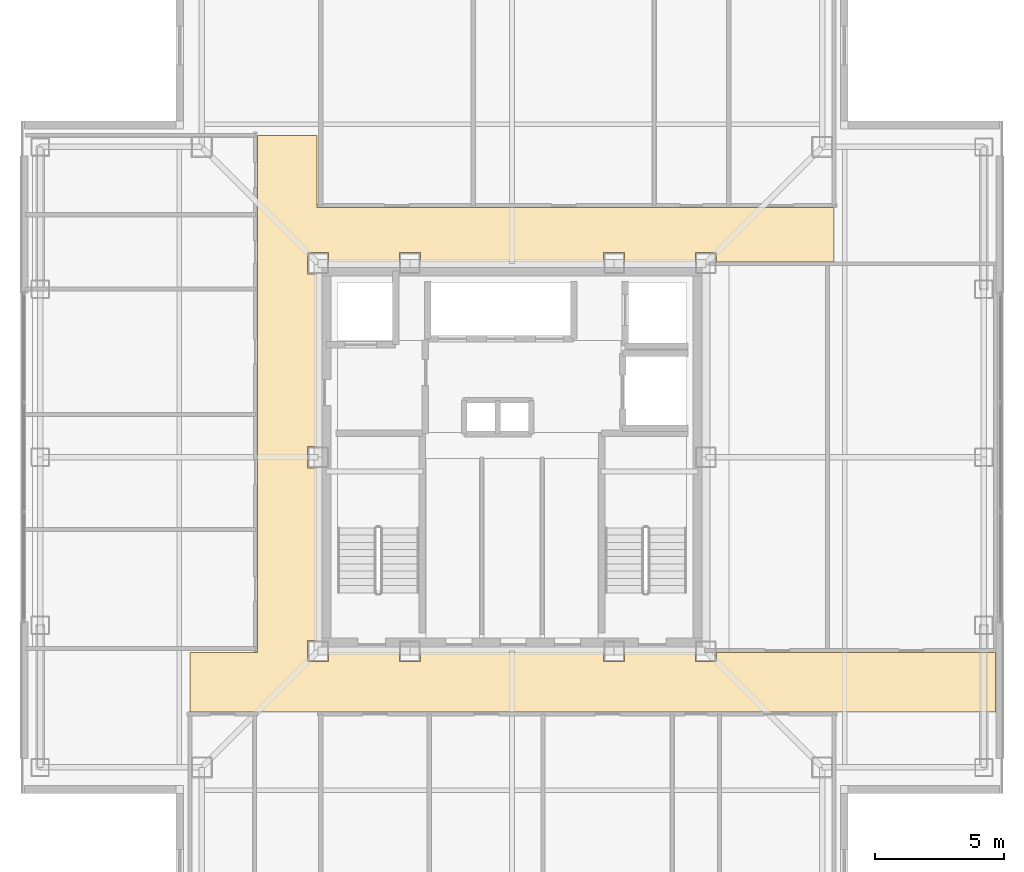
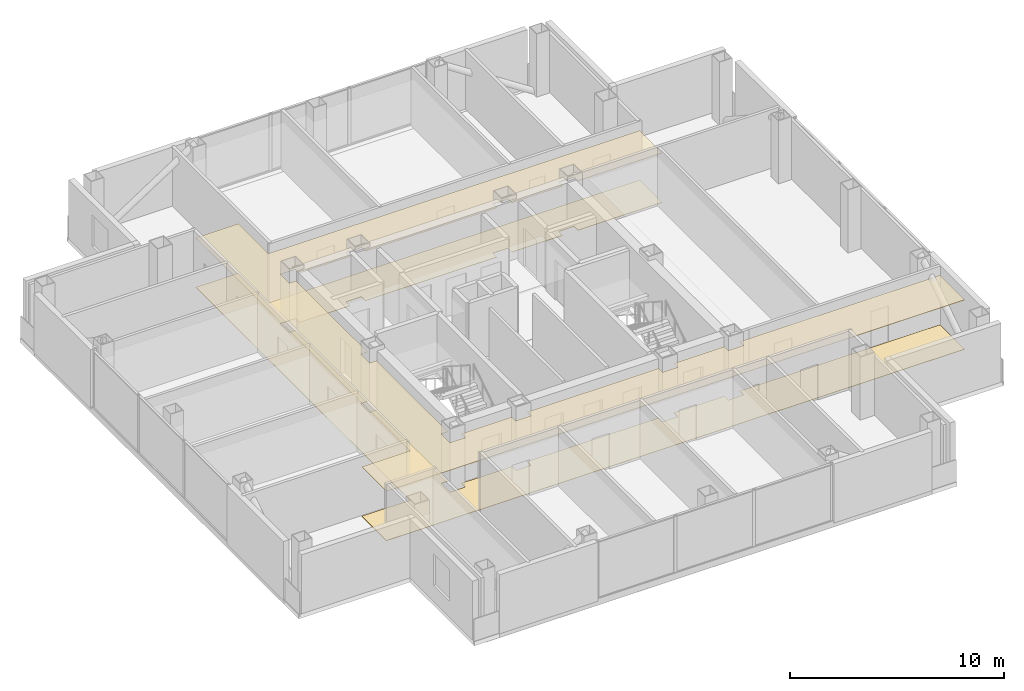
# One storey, part 14 of 16: 2 coverings.
"""IFC4 building model written with IfcOpenShell, lengths in metres."""

from ifc_helpers import new_model, si_unit, direction, frame, origin, place, context, subcontext, project, spatial, polyline, outline, extrude, material, layer, layer_set, type_object, element, save


model = new_model("IFC4")

# Units and contexts
model_context = context("Model", 3, precision=1e-05, world=origin(), true_north=direction((0.0, 1.0)))
body_context = subcontext(model_context, "Body", "Model", "MODEL_VIEW")
ifc_project = project(units=[si_unit("LENGTHUNIT", "METRE"), si_unit("AREAUNIT", "SQUARE_METRE"), si_unit("VOLUMEUNIT", "CUBIC_METRE"), si_unit("PLANEANGLEUNIT", "RADIAN"), si_unit("MASSUNIT", "GRAM", prefix="KILO")], contexts=[model_context])

# Site, building, storey
site_placement = place(None, origin())
site = spatial("IfcSite", under=ifc_project, at=site_placement, CompositionType="ELEMENT")
building_placement = place(site_placement, origin())
building = spatial("IfcBuilding", under=site, at=building_placement, Name="Trevonay Congress Spire", CompositionType="ELEMENT")
storey_placement = place(building_placement, frame((0.0, 0.0, 236.0)))
storey = spatial("IfcBuildingStorey", under=building, at=storey_placement, Name="L61", CompositionType="ELEMENT", Elevation=236.0)

# Coverings
ifc_material_1 = material(Name="Acoustic Mineral Fibre Board", Category="gypsum")
ifc_layer_1 = layer(ifc_material_1, 0.02490234375, Name="Acoustic Mineral Fibre Board")
ifc_layer_set_1 = layer_set([ifc_layer_1], Name="Acoustic Mineral Fibre Board")
covering_type_1 = type_object("IfcCoveringType", Name="COV-CEIL-ACOUSTIC", PredefinedType="CEILING", material=ifc_layer_set_1)
covering_1_placement = place(storey_placement, frame((0.0, 0.0, 2.81005859375)))
element("IfcCovering", 1, at=covering_1_placement, inside=storey, type_object=covering_type_1, Name="L61 Cruciform Boulevard Corridor acoustic suspended ceiling", PredefinedType="CEILING", context=body_context, shape_type="SweptSolid", body=[
    extrude(outline(polyline([(18.699951171875, -7.550048828125), (18.699951171875, -9.85009765625), (-12.449951171875, -9.85009765625), (-12.449951171875, -7.550048828125), (-9.85009765625, -7.550048828125), (-9.85009765625, 12.449951171875), (-7.550048828125, 12.449951171875), (-7.550048828125, 9.64990234375), (12.449951171875, 9.64990234375), (12.449951171875, 7.550048828125), (7.909912109375, 7.550048828125), (7.909912109375, 7.909912109375), (7.090087890625, 7.909912109375), (7.090087890625, 7.550048828125), (4.360107421875, 7.550048828125), (4.360107421875, 7.909912109375), (3.5400390625, 7.909912109375), (3.5400390625, 7.550048828125), (-3.5400390625, 7.550048828125), (-3.5400390625, 7.909912109375), (-4.360107421875, 7.909912109375), (-4.360107421875, 7.550048828125), (-7.090087890625, 7.550048828125), (-7.090087890625, 7.909912109375), (-7.909912109375, 7.909912109375), (-7.909912109375, 7.090087890625), (-7.550048828125, 7.090087890625), (-7.550048828125, 0.409912109375), (-7.909912109375, 0.409912109375), (-7.909912109375, -0.409912109375), (-7.550048828125, -0.409912109375), (-7.550048828125, -7.090087890625), (-7.909912109375, -7.090087890625), (-7.909912109375, -7.909912109375), (-7.090087890625, -7.909912109375), (-7.090087890625, -7.550048828125), (-4.360107421875, -7.550048828125), (-4.360107421875, -7.909912109375), (-3.5400390625, -7.909912109375), (-3.5400390625, -7.550048828125), (3.5400390625, -7.550048828125), (3.5400390625, -7.909912109375), (4.360107421875, -7.909912109375), (4.360107421875, -7.550048828125), (7.090087890625, -7.550048828125), (7.090087890625, -7.909912109375), (7.909912109375, -7.909912109375), (7.909912109375, -7.550048828125), (18.699951171875, -7.550048828125)])), origin(), (0.0, 0.0, 1.0), 0.02490234375),
])
ifc_material_2 = material(Name="Polished Granite Floor Tile", Category="masonry")
ifc_layer_2 = layer(ifc_material_2, 0.02001953125, Name="Polished Granite Floor Tile")
ifc_layer_set_2 = layer_set([ifc_layer_2], Name="Polished Granite Floor Tile")
covering_type_2 = type_object("IfcCoveringType", Name="COV-FLOOR-STONE", PredefinedType="FLOORING", material=ifc_layer_set_2)
covering_2_placement = place(storey_placement, origin())
element("IfcCovering", 2, at=covering_2_placement, inside=storey, type_object=covering_type_2, Name="L61 Cruciform Boulevard Corridor floor finish", PredefinedType="FLOORING", context=body_context, shape_type="SweptSolid", body=[
    extrude(outline(polyline([(18.699951171875, -7.550048828125), (18.699951171875, -9.85009765625), (-12.449951171875, -9.85009765625), (-12.449951171875, -7.550048828125), (-9.85009765625, -7.550048828125), (-9.85009765625, 12.449951171875), (-7.550048828125, 12.449951171875), (-7.550048828125, 9.64990234375), (12.449951171875, 9.64990234375), (12.449951171875, 7.550048828125), (7.909912109375, 7.550048828125), (7.909912109375, 7.909912109375), (7.090087890625, 7.909912109375), (7.090087890625, 7.550048828125), (4.360107421875, 7.550048828125), (4.360107421875, 7.909912109375), (3.5400390625, 7.909912109375), (3.5400390625, 7.550048828125), (-3.5400390625, 7.550048828125), (-3.5400390625, 7.909912109375), (-4.360107421875, 7.909912109375), (-4.360107421875, 7.550048828125), (-7.090087890625, 7.550048828125), (-7.090087890625, 7.909912109375), (-7.909912109375, 7.909912109375), (-7.909912109375, 7.090087890625), (-7.550048828125, 7.090087890625), (-7.550048828125, 0.409912109375), (-7.909912109375, 0.409912109375), (-7.909912109375, -0.409912109375), (-7.550048828125, -0.409912109375), (-7.550048828125, -7.090087890625), (-7.909912109375, -7.090087890625), (-7.909912109375, -7.909912109375), (-7.090087890625, -7.909912109375), (-7.090087890625, -7.550048828125), (-4.360107421875, -7.550048828125), (-4.360107421875, -7.909912109375), (-3.5400390625, -7.909912109375), (-3.5400390625, -7.550048828125), (3.5400390625, -7.550048828125), (3.5400390625, -7.909912109375), (4.360107421875, -7.909912109375), (4.360107421875, -7.550048828125), (7.090087890625, -7.550048828125), (7.090087890625, -7.909912109375), (7.909912109375, -7.909912109375), (7.909912109375, -7.550048828125), (18.699951171875, -7.550048828125)])), origin(), (0.0, 0.0, 1.0), 0.02001953125),
])

save(model, "model.ifc")
